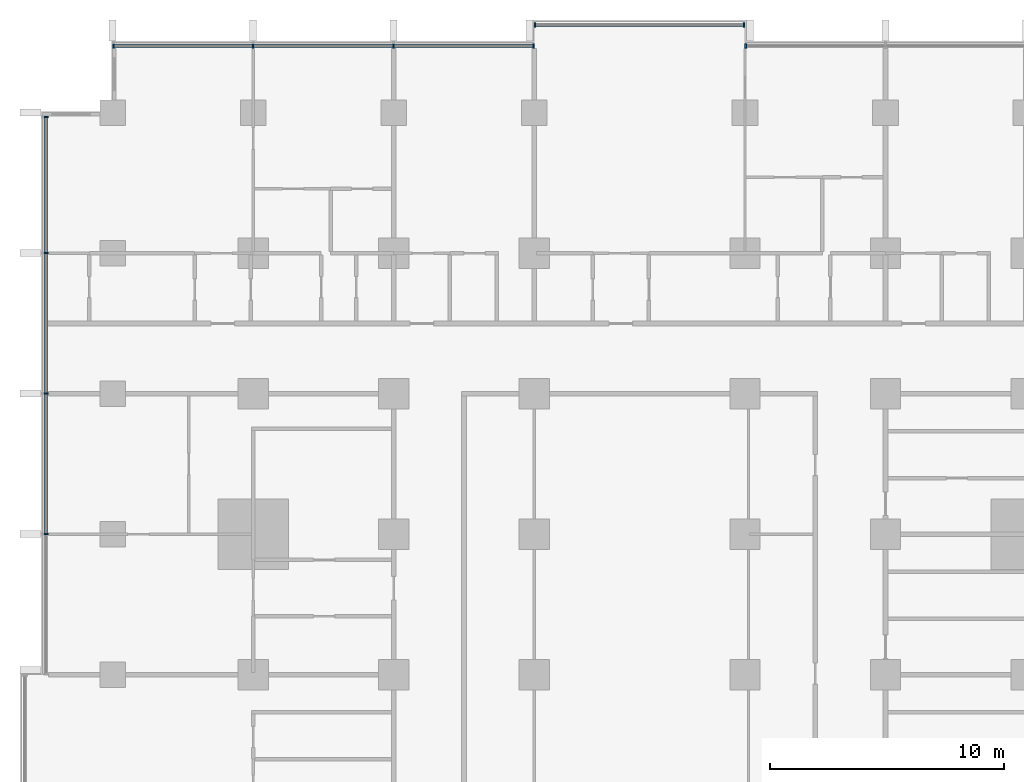
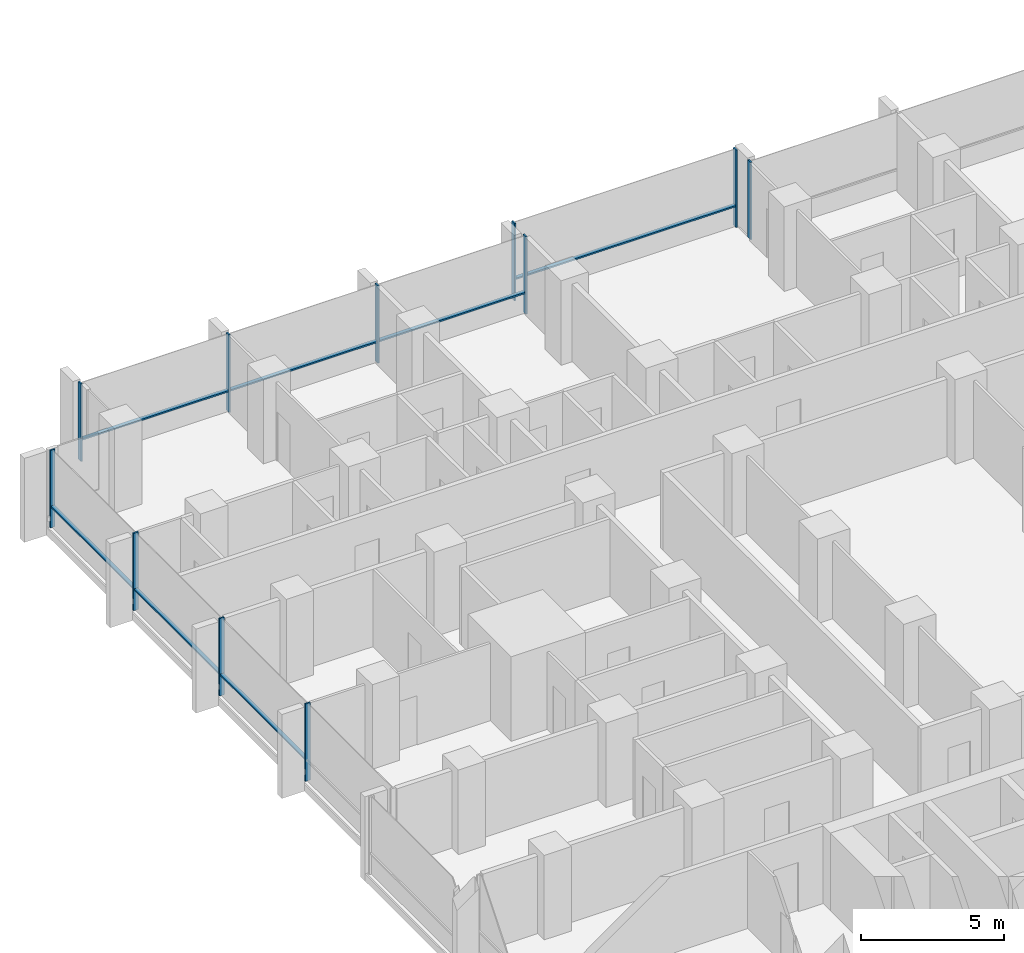
# One storey, part 4 of 18: 18 members, 4 elements without a shape of their own.
"""IFC4 building model written with IfcOpenShell, lengths in metres."""

from ifc_helpers import new_model, si_unit, direction, frame, origin, origin_2d, place, context, subcontext, project, spatial, rectangle, extrude, material, material_profile, profile_set, type_object, element, aggregate, save


model = new_model("IFC4")

# Units and contexts
model_context = context("Model", 3, precision=1e-05, world=origin(), true_north=direction((0.0, 1.0)))
body_context = subcontext(model_context, "Body", "Model", "MODEL_VIEW")
ifc_project = project(units=[si_unit("LENGTHUNIT", "METRE"), si_unit("AREAUNIT", "SQUARE_METRE"), si_unit("VOLUMEUNIT", "CUBIC_METRE"), si_unit("PLANEANGLEUNIT", "RADIAN"), si_unit("MASSUNIT", "GRAM", prefix="KILO")], contexts=[model_context])

# Site, building, storey
site_placement = place(None, origin())
site = spatial("IfcSite", under=ifc_project, at=site_placement, CompositionType="ELEMENT")
building_placement = place(site_placement, origin())
building = spatial("IfcBuilding", under=site, at=building_placement, Name="Finial Court Residences", CompositionType="ELEMENT")
storey_placement = place(building_placement, frame((0.0, 0.0, 54.10009765625)))
storey = spatial("IfcBuildingStorey", under=building, at=storey_placement, Name="L12", CompositionType="ELEMENT", Elevation=54.10009765625)

# Curtain wall, members
ifc_material = material(Name="Bronze anodised aluminium", Category="aluminium")
curtain_wall_type = type_object("IfcCurtainWallType", Name="Unitised curtain wall, lower and middle zones", PredefinedType="NOTDEFINED", material=ifc_material)
curtain_wall_1_placement = place(storey_placement, origin())
curtain_wall_1 = element("IfcCurtainWall", 1, at=curtain_wall_1_placement, inside=storey, type_object=curtain_wall_type, Name="E-L12-CW-N1", PredefinedType="NOTDEFINED")
ifc_material_profile_1 = material_profile(ifc_material, rectangle(XDim=0.199951171875, YDim=0.06494140625, at=origin_2d()), Name="CW1 mullion 65 x 200")
ifc_profile_set_1 = profile_set([ifc_material_profile_1], Name="Bronze anodised aluminium")
member_type_1 = type_object("IfcMemberType", Name="CW1 mullion 65 x 200", PredefinedType="MULLION", material=ifc_profile_set_1)
member_1_placement = place(storey_placement, frame((-22.467529296875, 28.35009765625, 0.0), z_axis=(0.0, 0.0, 1.0), x_axis=(0.0, 1.0, 0.0)))
member_1 = element("IfcMember", 2, at=member_1_placement, type_object=member_type_1, Name="CW1 mullion 1", PredefinedType="MULLION", context=body_context, shape_type="SweptSolid", body=[
    extrude(rectangle(XDim=0.199951171875, YDim=0.06494140625, at=origin_2d()), origin(), (0.0, 0.0, 1.0), 3.2998046875),
])
member_2_placement = place(storey_placement, frame((-16.5, 28.35009765625, 0.0), z_axis=(0.0, 0.0, 1.0), x_axis=(0.0, 1.0, 0.0)))
member_2 = element("IfcMember", 3, at=member_2_placement, type_object=member_type_1, Name="CW1 mullion 2", PredefinedType="MULLION", context=body_context, shape_type="SweptSolid", body=[
    extrude(rectangle(XDim=0.199951171875, YDim=0.06494140625, at=origin_2d()), origin(), (0.0, 0.0, 1.0), 3.2998046875),
])
member_3_placement = place(storey_placement, frame((-10.5, 28.35009765625, 0.0), z_axis=(0.0, 0.0, 1.0), x_axis=(0.0, 1.0, 0.0)))
member_3 = element("IfcMember", 4, at=member_3_placement, type_object=member_type_1, Name="CW1 mullion 3", PredefinedType="MULLION", context=body_context, shape_type="SweptSolid", body=[
    extrude(rectangle(XDim=0.199951171875, YDim=0.06494140625, at=origin_2d()), origin(), (0.0, 0.0, 1.0), 3.2998046875),
])
member_4_placement = place(storey_placement, frame((-4.532470703125, 28.35009765625, 0.0), z_axis=(0.0, 0.0, 1.0), x_axis=(0.0, 1.0, 0.0)))
member_4 = element("IfcMember", 5, at=member_4_placement, type_object=member_type_1, Name="CW1 mullion 4", PredefinedType="MULLION", context=body_context, shape_type="SweptSolid", body=[
    extrude(rectangle(XDim=0.199951171875, YDim=0.06494140625, at=origin_2d()), origin(), (0.0, 0.0, 1.0), 3.2998046875),
])

curtain_wall_2_placement = place(storey_placement, origin())
curtain_wall_2 = element("IfcCurtainWall", 6, at=curtain_wall_2_placement, inside=storey, type_object=curtain_wall_type, Name="E-L12-CW-N2", PredefinedType="NOTDEFINED")
member_5_placement = place(storey_placement, frame((-4.467529296875, 29.25, 0.0), z_axis=(0.0, 0.0, 1.0), x_axis=(0.0, 1.0, 0.0)))
member_5 = element("IfcMember", 7, at=member_5_placement, type_object=member_type_1, Name="CW1 mullion 1", PredefinedType="MULLION", context=body_context, shape_type="SweptSolid", body=[
    extrude(rectangle(XDim=0.199951171875, YDim=0.06494140625, at=origin_2d()), origin(), (0.0, 0.0, 1.0), 3.2998046875),
])
member_6_placement = place(storey_placement, frame((4.467529296875, 29.25, 0.0), z_axis=(0.0, 0.0, 1.0), x_axis=(0.0, 1.0, 0.0)))
member_6 = element("IfcMember", 8, at=member_6_placement, type_object=member_type_1, Name="CW1 mullion 2", PredefinedType="MULLION", context=body_context, shape_type="SweptSolid", body=[
    extrude(rectangle(XDim=0.199951171875, YDim=0.06494140625, at=origin_2d()), origin(), (0.0, 0.0, 1.0), 3.2998046875),
])

# Curtain wall, member
curtain_wall_3_placement = place(storey_placement, origin())
curtain_wall_3 = element("IfcCurtainWall", 9, at=curtain_wall_3_placement, inside=storey, type_object=curtain_wall_type, Name="E-L12-CW-N3", PredefinedType="NOTDEFINED")
member_7_placement = place(storey_placement, frame((4.532470703125, 28.35009765625, 0.0), z_axis=(0.0, 0.0, 1.0), x_axis=(0.0, 1.0, 0.0)))
member_7 = element("IfcMember", 10, at=member_7_placement, type_object=member_type_1, Name="CW1 mullion 1", PredefinedType="MULLION", context=body_context, shape_type="SweptSolid", body=[
    extrude(rectangle(XDim=0.199951171875, YDim=0.06494140625, at=origin_2d()), origin(), (0.0, 0.0, 1.0), 3.2998046875),
])
aggregate(curtain_wall_3, [member_7])

# Curtain wall, members
curtain_wall_4_placement = place(storey_placement, origin())
curtain_wall_4 = element("IfcCurtainWall", 11, at=curtain_wall_4_placement, inside=storey, type_object=curtain_wall_type, Name="E-L12-CW-W12", PredefinedType="NOTDEFINED")
member_8_placement = place(storey_placement, frame((-25.35009765625, 7.5, 0.0), z_axis=(0.0, 0.0, 1.0), x_axis=(-1.0, 0.0, 0.0)))
member_8 = element("IfcMember", 12, at=member_8_placement, type_object=member_type_1, Name="CW1 mullion 2", PredefinedType="MULLION", context=body_context, shape_type="SweptSolid", body=[
    extrude(rectangle(XDim=0.199951171875, YDim=0.06494140625, at=origin_2d()), origin(), (0.0, 0.0, 1.0), 3.2998046875),
])
member_9_placement = place(storey_placement, frame((-25.35009765625, 13.5, 0.0), z_axis=(0.0, 0.0, 1.0), x_axis=(-1.0, 0.0, 0.0)))
member_9 = element("IfcMember", 13, at=member_9_placement, type_object=member_type_1, Name="CW1 mullion 3", PredefinedType="MULLION", context=body_context, shape_type="SweptSolid", body=[
    extrude(rectangle(XDim=0.199951171875, YDim=0.06494140625, at=origin_2d()), origin(), (0.0, 0.0, 1.0), 3.2998046875),
])
member_10_placement = place(storey_placement, frame((-25.35009765625, 19.5, 0.0), z_axis=(0.0, 0.0, 1.0), x_axis=(-1.0, 0.0, 0.0)))
member_10 = element("IfcMember", 14, at=member_10_placement, type_object=member_type_1, Name="CW1 mullion 4", PredefinedType="MULLION", context=body_context, shape_type="SweptSolid", body=[
    extrude(rectangle(XDim=0.199951171875, YDim=0.06494140625, at=origin_2d()), origin(), (0.0, 0.0, 1.0), 3.2998046875),
])
member_11_placement = place(storey_placement, frame((-25.35009765625, 25.3173828125, 0.0), z_axis=(0.0, 0.0, 1.0), x_axis=(-1.0, 0.0, 0.0)))
member_11 = element("IfcMember", 15, at=member_11_placement, type_object=member_type_1, Name="CW1 mullion 5", PredefinedType="MULLION", context=body_context, shape_type="SweptSolid", body=[
    extrude(rectangle(XDim=0.199951171875, YDim=0.06494140625, at=origin_2d()), origin(), (0.0, 0.0, 1.0), 3.2998046875),
])

# Member
ifc_material_profile_2 = material_profile(ifc_material, rectangle(XDim=0.14990234375, YDim=0.06494140625, at=origin_2d()), Name="CW1 transom 65 x 150")
ifc_profile_set_2 = profile_set([ifc_material_profile_2], Name="Bronze anodised aluminium")
member_type_2 = type_object("IfcMemberType", Name="CW1 transom 65 x 150", PredefinedType="USERDEFINED", material=ifc_profile_set_2)
member_12_placement = place(storey_placement, frame((-22.43505859375, 28.35009765625, 0.89990234375), z_axis=(1.0, 0.0, 0.0), x_axis=(0.0, 1.0, 0.0)))
member_12 = element("IfcMember", 16, at=member_12_placement, type_object=member_type_2, Name="CW1 transom 1.1", ObjectType="TRANSOM", PredefinedType="USERDEFINED", context=body_context, shape_type="SweptSolid", body=[
    extrude(rectangle(XDim=0.14990234375, YDim=0.06494140625, at=origin_2d()), origin(), (0.0, 0.0, 1.0), 5.902587890625),
])

member_13_placement = place(storey_placement, frame((-16.467529296875, 28.35009765625, 0.89990234375), z_axis=(1.0, 0.0, 0.0), x_axis=(0.0, 1.0, 0.0)))
member_13 = element("IfcMember", 17, at=member_13_placement, type_object=member_type_2, Name="CW1 transom 2.1", ObjectType="TRANSOM", PredefinedType="USERDEFINED", context=body_context, shape_type="SweptSolid", body=[
    extrude(rectangle(XDim=0.14990234375, YDim=0.06494140625, at=origin_2d()), origin(), (0.0, 0.0, 1.0), 5.93505859375),
])

member_14_placement = place(storey_placement, frame((-10.467529296875, 28.35009765625, 0.89990234375), z_axis=(1.0, 0.0, 0.0), x_axis=(0.0, 1.0, 0.0)))
member_14 = element("IfcMember", 18, at=member_14_placement, type_object=member_type_2, Name="CW1 transom 3.1", ObjectType="TRANSOM", PredefinedType="USERDEFINED", context=body_context, shape_type="SweptSolid", body=[
    extrude(rectangle(XDim=0.14990234375, YDim=0.06494140625, at=origin_2d()), origin(), (0.0, 0.0, 1.0), 5.902587890625),
])

aggregate(curtain_wall_1, [member_1, member_2, member_3, member_4, member_12, member_13, member_14])

member_15_placement = place(storey_placement, frame((-4.43505859375, 29.25, 0.89990234375), z_axis=(1.0, 0.0, 0.0), x_axis=(0.0, 1.0, 0.0)))
member_15 = element("IfcMember", 19, at=member_15_placement, type_object=member_type_2, Name="CW1 transom 1.1", ObjectType="TRANSOM", PredefinedType="USERDEFINED", context=body_context, shape_type="SweptSolid", body=[
    extrude(rectangle(XDim=0.14990234375, YDim=0.06494140625, at=origin_2d()), origin(), (0.0, 0.0, 1.0), 8.8701171875),
])

aggregate(curtain_wall_2, [member_5, member_6, member_15])

member_16_placement = place(storey_placement, frame((-25.35009765625, 7.532470703125, 0.89990234375), z_axis=(0.0, 1.0, 0.0), x_axis=(-1.0, 0.0, 0.0)))
member_16 = element("IfcMember", 20, at=member_16_placement, type_object=member_type_2, Name="CW1 transom 2.1", ObjectType="TRANSOM", PredefinedType="USERDEFINED", context=body_context, shape_type="SweptSolid", body=[
    extrude(rectangle(XDim=0.14990234375, YDim=0.06494140625, at=origin_2d()), origin(), (0.0, 0.0, 1.0), 5.93505859375),
])

member_17_placement = place(storey_placement, frame((-25.35009765625, 13.532470703125, 0.89990234375), z_axis=(0.0, 1.0, 0.0), x_axis=(-1.0, 0.0, 0.0)))
member_17 = element("IfcMember", 21, at=member_17_placement, type_object=member_type_2, Name="CW1 transom 3.1", ObjectType="TRANSOM", PredefinedType="USERDEFINED", context=body_context, shape_type="SweptSolid", body=[
    extrude(rectangle(XDim=0.14990234375, YDim=0.06494140625, at=origin_2d()), origin(), (0.0, 0.0, 1.0), 5.93505859375),
])

member_18_placement = place(storey_placement, frame((-25.35009765625, 19.532470703125, 0.89990234375), z_axis=(0.0, 1.0, 0.0), x_axis=(-1.0, 0.0, 0.0)))
member_18 = element("IfcMember", 22, at=member_18_placement, type_object=member_type_2, Name="CW1 transom 4.1", ObjectType="TRANSOM", PredefinedType="USERDEFINED", context=body_context, shape_type="SweptSolid", body=[
    extrude(rectangle(XDim=0.14990234375, YDim=0.06494140625, at=origin_2d()), origin(), (0.0, 0.0, 1.0), 5.75244140625),
])

aggregate(curtain_wall_4, [member_8, member_9, member_10, member_11, member_16, member_17, member_18])

save(model, "model.ifc")
